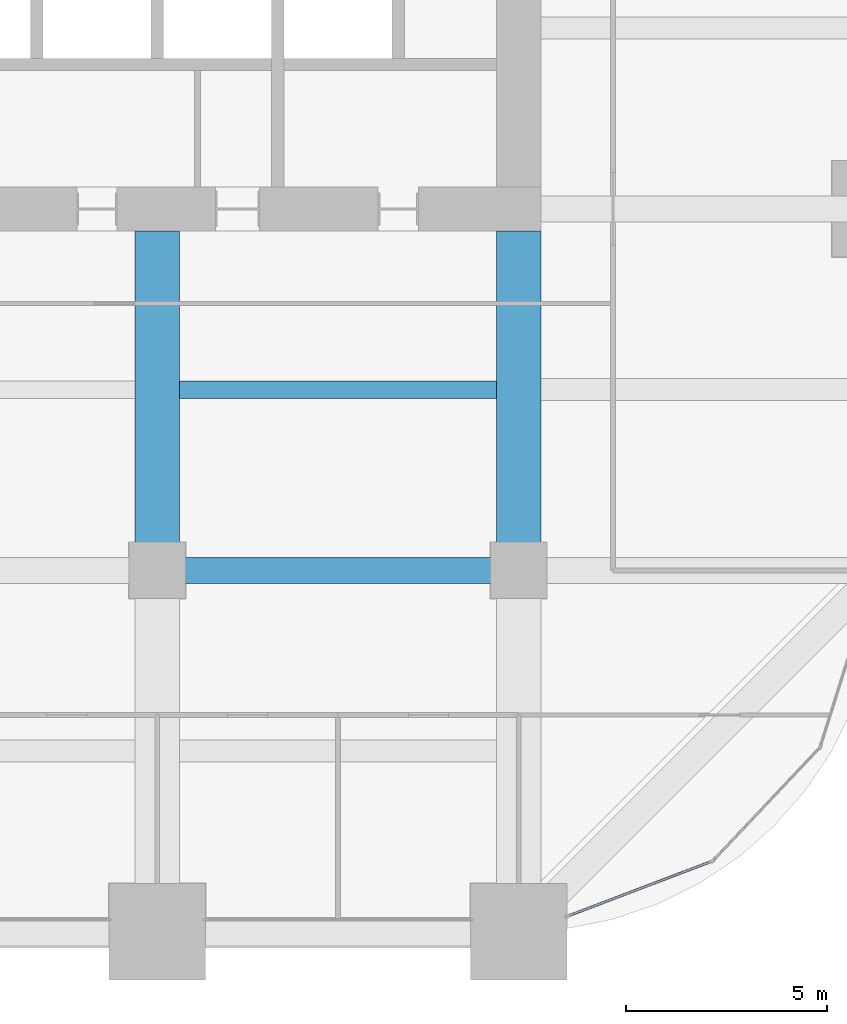
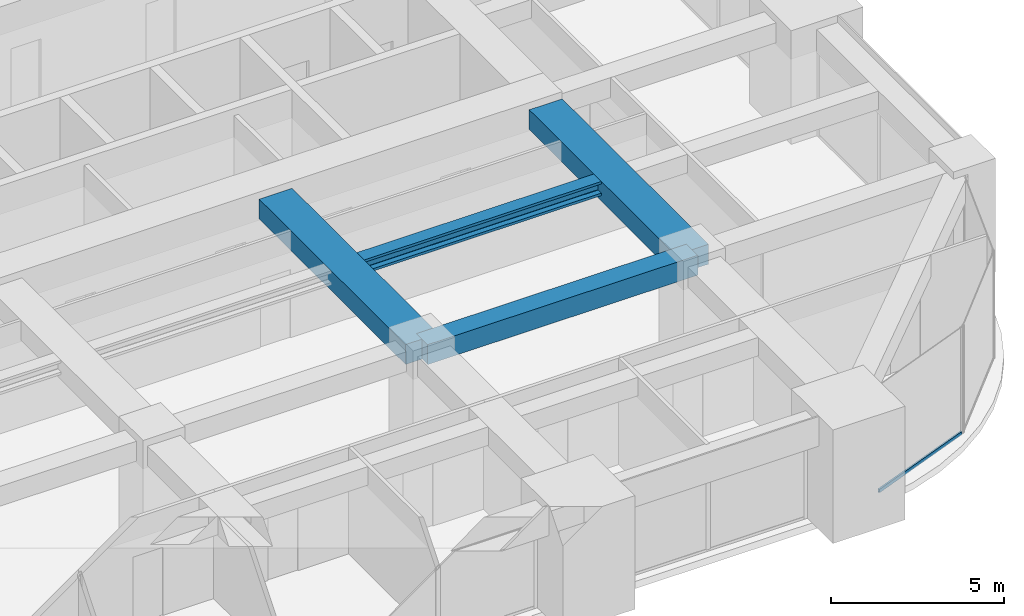
# One storey, part 15 of 33: 4 beams, 1 member, 1 element without a shape of its own.
"""IFC4 building model written with IfcOpenShell, lengths in metres."""

import ifcopenshell
import ifcopenshell.guid

model = None  # the IFC model being written
_history = None  # IfcOwnerHistory: only IFC2X3 demands one
_inside = {}  # id of a spatial element -> (the spatial element, [elements in it])
_under = {}  # id of a project, library or spatial element -> (it, [spatial elements below it])
_declared = {}  # id of a project -> (the project, [libraries it declares])
_typed = {}  # id of a type object -> (the type object, [elements of that type])
_made_of = {}  # id of a material, layer set ... -> (it, [elements and type objects made of it])


def new_model(schema):
    """Start an empty IFC model of exactly this schema.

    Asked for "IFC4X3", IfcOpenShell would pick the latest addendum, in which some entities
    have other attributes; the version numbers below select the first issue.
    IFC2X3 requires an IfcOwnerHistory on every rooted entity: one is made here for all.
    """
    global model, _history
    if schema == "IFC4X3":
        model = ifcopenshell.file(schema_version=(4, 3, 0, 0))
    else:
        model = ifcopenshell.file(schema=schema)
    _inside.clear()
    _under.clear()
    _declared.clear()
    _typed.clear()
    _made_of.clear()
    _history = None
    if model.schema == "IFC2X3":
        org = make("IfcOrganization", Name="unknown")
        user = make(
            "IfcPersonAndOrganization",
            ThePerson=make("IfcPerson", FamilyName="unknown"),
            TheOrganization=org,
        )
        app = make(
            "IfcApplication",
            ApplicationDeveloper=org,
            Version="unknown",
            ApplicationFullName="unknown",
            ApplicationIdentifier="unknown",
        )
        _history = make(
            "IfcOwnerHistory",
            OwningUser=user,
            OwningApplication=app,
            ChangeAction="ADDED",
            CreationDate=0,
        )
    return model


def make(cls, **values):
    """One entity of the class cls with the attributes given. An attribute that is None is left unset."""
    return model.create_entity(
        cls, **{name: value for name, value in values.items() if value is not None}
    )


def rooted(cls, **values):
    """An entity with a GlobalId (a new one), such as an element, a storey or a relation."""
    return make(cls, GlobalId=ifcopenshell.guid.new(), OwnerHistory=_history, **values)


def si_unit(unit_type, name, prefix=None):
    """IfcSIUnit, for example si_unit("LENGTHUNIT", "METRE", prefix="MILLI")."""
    return make("IfcSIUnit", UnitType=unit_type, Prefix=prefix, Name=name)


def assignment(units):
    """IfcUnitAssignment: the units of a project."""
    return None if units is None else make("IfcUnitAssignment", Units=units)


def point(xyz):
    """IfcCartesianPoint."""
    return None if xyz is None else make("IfcCartesianPoint", Coordinates=xyz)


def direction(xyz):
    """IfcDirection."""
    return None if xyz is None else make("IfcDirection", DirectionRatios=xyz)


def frame(location, z_axis=None, x_axis=None):
    """IfcAxis2Placement3D, a coordinate frame: its origin and axes. An axis left out is left unset."""
    return make(
        "IfcAxis2Placement3D",
        Location=point(location),
        Axis=direction(z_axis),
        RefDirection=direction(x_axis),
    )


def frame_2d(location, x_axis=None):
    """IfcAxis2Placement2D, a coordinate frame in the plane: its origin and x axis."""
    return make(
        "IfcAxis2Placement2D", Location=point(location), RefDirection=direction(x_axis)
    )


def origin():
    """The frame at (0, 0, 0) with its axes left unset."""
    return frame((0.0, 0.0, 0.0))


def origin_2d():
    """The frame at (0, 0) in the plane with its x axis left unset."""
    return frame_2d((0.0, 0.0))


def place(relative_to, where):
    """IfcLocalPlacement: puts the frame where relative to a parent placement (None: the world)."""
    return make(
        "IfcLocalPlacement", PlacementRelTo=relative_to, RelativePlacement=where
    )


def context(
    kind, dimensions, precision=None, world=None, true_north=None, identifier=None
):
    """IfcGeometricRepresentationContext, for example the 3D "Model" context."""
    return make(
        "IfcGeometricRepresentationContext",
        ContextIdentifier=identifier,
        ContextType=kind,
        CoordinateSpaceDimension=dimensions,
        Precision=precision,
        WorldCoordinateSystem=world,
        TrueNorth=true_north,
    )


def subcontext(parent, identifier, kind, view, scale=None):
    """IfcGeometricRepresentationSubContext, for example "Body" below "Model"."""
    return make(
        "IfcGeometricRepresentationSubContext",
        ContextIdentifier=identifier,
        ContextType=kind,
        ParentContext=parent,
        TargetScale=scale,
        TargetView=view,
    )


def project(units=None, contexts=None):
    """IfcProject with its units and contexts."""
    return rooted(
        "IfcProject",
        Name="project",
        RepresentationContexts=contexts,
        UnitsInContext=assignment(units),
    )


def spatial(cls, under=None, at=None, **own):
    """A site, building, storey or space (cls), placed at a placement, below another one or the project."""
    s = rooted(cls, ObjectPlacement=at, **own)
    if under is not None:
        _under.setdefault(under.id(), (under, []))[1].append(s)
    return s


def profile(cls, at=None, kind="AREA", **sizes):
    """A parametric profile (cls). Its sizes go by their IFC names, for example OverallWidth=200.0."""
    return make(cls, ProfileType=kind, Position=at, **sizes)


def rectangle(**sizes):
    """IfcRectangleProfileDef."""
    return profile("IfcRectangleProfileDef", **sizes)


def hollow_rectangle(**sizes):
    """IfcRectangleHollowProfileDef."""
    return profile("IfcRectangleHollowProfileDef", **sizes)


def i_section(**sizes):
    """IfcIShapeProfileDef."""
    return profile("IfcIShapeProfileDef", **sizes)


def extrude(swept, where, along, depth):
    """IfcExtrudedAreaSolid: the profile swept, set in the frame where, extruded along a direction by depth."""
    return make(
        "IfcExtrudedAreaSolid",
        SweptArea=swept,
        Position=where,
        ExtrudedDirection=direction(along),
        Depth=depth,
    )


def shape(context_of_items, identifier, shape_type, items):
    """IfcShapeRepresentation: the items that make up one representation, for example the "Body"."""
    return make(
        "IfcShapeRepresentation",
        ContextOfItems=context_of_items,
        RepresentationIdentifier=identifier,
        RepresentationType=shape_type,
        Items=items,
    )


def material(Name=None, Category=None):
    """IfcMaterial."""
    return make("IfcMaterial", Name=Name, Category=Category)


def material_profile(
    of_material, cross_section, Name=None, Category=None, Priority=None
):
    """IfcMaterialProfile: a cross section and its material."""
    return make(
        "IfcMaterialProfile",
        Name=Name,
        Material=of_material,
        Profile=cross_section,
        Priority=Priority,
        Category=Category,
    )


def profile_set(profiles, Name=None, composite=None):
    """IfcMaterialProfileSet."""
    return make(
        "IfcMaterialProfileSet",
        Name=Name,
        MaterialProfiles=profiles,
        CompositeProfile=composite,
    )


def made_of(thing, what):
    """Note that an element or type object is made of a material, layer set ...; save() writes the relation."""
    if what is not None:
        _made_of.setdefault(what.id(), (what, []))[1].append(thing)
    return thing


def type_object(cls, material=None, **own):
    """A type object (cls), such as IfcWallType, which elements share."""
    return made_of(rooted(cls, **own), material)


def element(
    cls,
    number,
    at=None,
    inside=None,
    cuts=None,
    type_object=None,
    material=None,
    context=None,
    identifier="Body",
    shape_type=None,
    held_by="IfcProductDefinitionShape",
    body=None,
    shapes=None,
    **own,
):
    """One element of the class cls, such as IfcWall. Its Tag is "e" and its number.

    at: its placement. inside: the storey or other place that contains it. cuts: it is an
    opening in that element (IfcRelVoidsElement). A single representation is given by context,
    identifier, shape_type and body (its items); several are given by shapes. held_by: the class
    of the entity that holds the representations. save() writes the other relations.
    """
    e = rooted(cls, Tag="e%d" % number, ObjectPlacement=at, **own)
    if body is not None:
        shapes = [shape(context, identifier, shape_type, body)]
    if shapes is not None:
        e.Representation = make(held_by, Representations=shapes)
    if inside is not None:
        _inside.setdefault(inside.id(), (inside, []))[1].append(e)
    if cuts is not None:
        rooted(
            "IfcRelVoidsElement", RelatingBuildingElement=cuts, RelatedOpeningElement=e
        )
    if type_object is not None:
        _typed.setdefault(type_object.id(), (type_object, []))[1].append(e)
    return made_of(e, material)


def aggregate(whole, parts):
    """IfcRelAggregates: a whole, such as a stair, and the parts it consists of."""
    return rooted("IfcRelAggregates", RelatingObject=whole, RelatedObjects=parts)


def save(model, path):
    """Write the relations noted so far, then the file.

    IfcRelAggregates (storeys below a building ...), IfcRelContainedInSpatialStructure (elements
    in a storey), IfcRelDefinesByType, IfcRelAssociatesMaterial and IfcRelDeclares: one each for
    every whole, place, type object, material and project.
    """
    for whole, parts in _under.values():
        aggregate(whole, parts)
    for where, things in _inside.values():
        rooted(
            "IfcRelContainedInSpatialStructure",
            RelatedElements=things,
            RelatingStructure=where,
        )
    for kind, things in _typed.values():
        rooted("IfcRelDefinesByType", RelatedObjects=things, RelatingType=kind)
    for what, things in _made_of.values():
        rooted("IfcRelAssociatesMaterial", RelatedObjects=things, RelatingMaterial=what)
    for by, libraries in _declared.values():
        rooted("IfcRelDeclares", RelatingContext=by, RelatedDefinitions=libraries)
    model.write(path)


model = new_model("IFC4")

# Units and contexts
model_context = context("Model", 3, precision=1e-05, world=origin(), true_north=direction((0.0, 1.0)))
body_context = subcontext(model_context, "Body", "Model", "MODEL_VIEW")
ifc_project = project(units=[si_unit("LENGTHUNIT", "METRE"), si_unit("AREAUNIT", "SQUARE_METRE"), si_unit("VOLUMEUNIT", "CUBIC_METRE"), si_unit("PLANEANGLEUNIT", "RADIAN"), si_unit("MASSUNIT", "GRAM", prefix="KILO")], contexts=[model_context])

# Site, building, storey
site_placement = place(None, origin())
site = spatial("IfcSite", under=ifc_project, at=site_placement, CompositionType="ELEMENT")
building_placement = place(site_placement, origin())
building = spatial("IfcBuilding", under=site, at=building_placement, Name="Zorevar Civic Tower", CompositionType="ELEMENT")
storey_placement = place(building_placement, frame((0.0, 0.0, 206.199951171875)))
storey = spatial("IfcBuildingStorey", under=building, at=storey_placement, Name="L50", CompositionType="ELEMENT", Elevation=206.199951171875)

# Beams
ifc_material_1 = material(Name="Concrete C50/60", Category="concrete")
ifc_material_profile_1 = material_profile(ifc_material_1, rectangle(XDim=1.10009765625, YDim=0.699951171875, at=origin_2d()), Name="RC 1100x700")
ifc_profile_set_1 = profile_set([ifc_material_profile_1], Name="Concrete C50/60")
beam_type_1 = type_object("IfcBeamType", Name="Beam RC 1100x700", PredefinedType="BEAM", material=ifc_profile_set_1)
for number, where, z_axis, x_axis, name in (
    (1, (36.0, 9.0, 3.400146484375), (0.0, 1.0, 0.0), (-1.0, 0.0, 0.0), "Girder L51"),
    (2, (45.0, 9.0, 3.400146484375), (0.0, 1.0, 0.0), (-1.0, 0.0, 0.0), "Girder L51"),
):
    element("IfcBeam", number, at=place(storey_placement, frame(where, z_axis=z_axis, x_axis=x_axis)), inside=storey, type_object=beam_type_1, Name=name, PredefinedType="BEAM", context=body_context, shape_type="SweptSolid", body=[
        extrude(rectangle(XDim=1.10009765625, YDim=0.699951171875, at=origin_2d()), origin(), (0.0, 0.0, 1.0), 8.449951171875),
    ])
ifc_material_2 = material(Name="Concrete C50/60", Category="concrete")
ifc_material_profile_2 = material_profile(ifc_material_2, rectangle(XDim=0.64990234375, YDim=0.699951171875, at=origin_2d()), Name="RC 650x700")
ifc_profile_set_2 = profile_set([ifc_material_profile_2], Name="Concrete C50/60")
beam_type_2 = type_object("IfcBeamType", Name="Beam RC 650x700", PredefinedType="BEAM", material=ifc_profile_set_2)
beam_1_placement = place(storey_placement, frame((36.0, 9.0, 3.400146484375), z_axis=(1.0, 0.0, 0.0), x_axis=(0.0, 1.0, 0.0)))
element("IfcBeam", 3, at=beam_1_placement, inside=storey, type_object=beam_type_2, Name="Girder L51", PredefinedType="BEAM", context=body_context, shape_type="SweptSolid", body=[
    extrude(rectangle(XDim=0.64990234375, YDim=0.699951171875, at=origin_2d()), origin(), (0.0, 0.0, 1.0), 9.0),
])

# Curtain wall, member
ifc_material_3 = material(Name="Dark grey solar-control glass in black aluminium frame", Category="aluminium")
curtain_wall_type = type_object("IfcCurtainWallType", Name="Curtain wall CW4 high zone", PredefinedType="NOTDEFINED", material=ifc_material_3)
curtain_wall_placement = place(storey_placement, origin())
curtain_wall = element("IfcCurtainWall", 4, at=curtain_wall_placement, inside=storey, type_object=curtain_wall_type, Name="CW4 L50", PredefinedType="NOTDEFINED")
ifc_material_4 = material(Name="Aluminium, black anodised", Category="aluminium")
ifc_material_profile_3 = material_profile(ifc_material_4, hollow_rectangle(XDim=0.06005859375, YDim=0.1201171875, WallThickness=0.0029296875, at=origin_2d()), Name="AL 120x60x3")
ifc_profile_set_3 = profile_set([ifc_material_profile_3], Name="Aluminium, black anodised")
member_type = type_object("IfcMemberType", Name="CW4 transom AL 120x60x3", PredefinedType="USERDEFINED", material=ifc_profile_set_3)
member_placement = place(storey_placement, frame((46.256103515625, 0.404541015625, 0.030029296875), z_axis=(0.934589335576, 0.355728511406, 0.0), x_axis=(-0.355728511406, 0.934589335576, 0.0)))
member = element("IfcMember", 5, at=member_placement, type_object=member_type, Name="CW4 sill transom", ObjectType="TRANSOM", PredefinedType="USERDEFINED", context=body_context, shape_type="SweptSolid", body=[
    extrude(hollow_rectangle(XDim=0.06005859375, YDim=0.1201171875, WallThickness=0.0029296875, at=origin_2d()), origin(), (0.0, 0.0, 1.0), 3.76708984375),
])
aggregate(curtain_wall, [member])

# Beam
ifc_material_5 = material(Name="Steel S460M (HISTAR 460)", Category="steel")
ifc_material_profile_4 = material_profile(ifc_material_5, i_section(OverallWidth=0.431884765625, OverallDepth=0.498046875, WebThickness=0.0556640625, FlangeThickness=0.0888671875, FilletRadius=0.014892578125, at=origin_2d()), Name="HD 400x744")
ifc_profile_set_4 = profile_set([ifc_material_profile_4], Name="Steel S460M (HISTAR 460)")
beam_type_3 = type_object("IfcBeamType", Name="Core bay beam HD 400x744", PredefinedType="BEAM", material=ifc_profile_set_4)
beam_2_placement = place(storey_placement, frame((36.550048828125, 13.5, 3.5009765625), z_axis=(1.0, 0.0, 0.0), x_axis=(0.0, 1.0, 0.0)))
element("IfcBeam", 6, at=beam_2_placement, inside=storey, type_object=beam_type_3, Name="Secondary beam L51", PredefinedType="BEAM", context=body_context, shape_type="SweptSolid", body=[
    extrude(i_section(OverallWidth=0.431884765625, OverallDepth=0.498046875, WebThickness=0.0556640625, FlangeThickness=0.0888671875, FilletRadius=0.014892578125, at=origin_2d()), origin(), (0.0, 0.0, 1.0), 7.89990234375),
])

save(model, "model.ifc")
